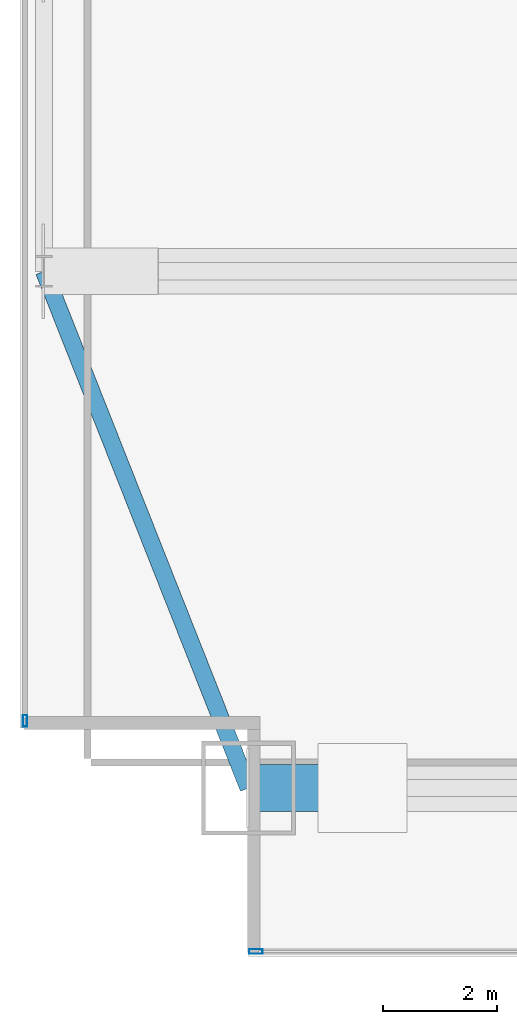
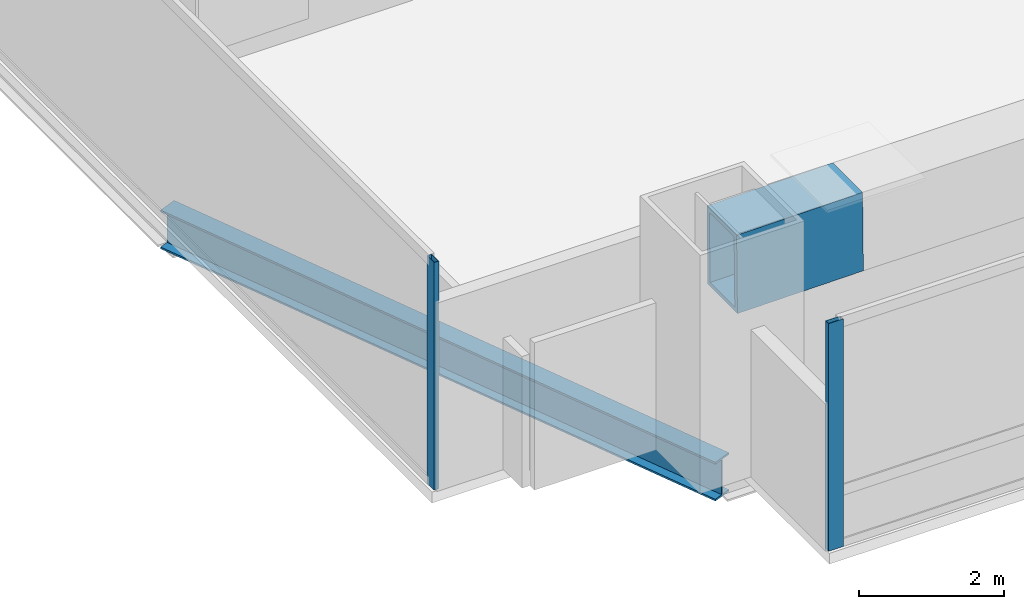
# One storey, part 5 of 32: 2 beams, 2 members, 2 elements without a shape of their own.
"""IFC4 building model written with IfcOpenShell, lengths in metres."""

from ifc_helpers import new_model, si_unit, direction, frame, origin, origin_2d, place, context, subcontext, project, spatial, hollow_rectangle, i_section, extrude, material, material_profile, profile_set, type_object, element, aggregate, save


model = new_model("IFC4")

# Units and contexts
model_context = context("Model", 3, precision=1e-05, world=origin(), true_north=direction((0.0, 1.0)))
body_context = subcontext(model_context, "Body", "Model", "MODEL_VIEW")
ifc_project = project(units=[si_unit("LENGTHUNIT", "METRE"), si_unit("AREAUNIT", "SQUARE_METRE"), si_unit("VOLUMEUNIT", "CUBIC_METRE"), si_unit("PLANEANGLEUNIT", "RADIAN"), si_unit("MASSUNIT", "GRAM", prefix="KILO")], contexts=[model_context])

# Site, building, storey
site_placement = place(None, origin())
site = spatial("IfcSite", under=ifc_project, at=site_placement, CompositionType="ELEMENT")
building_placement = place(site_placement, origin())
building = spatial("IfcBuilding", under=site, at=building_placement, Name="Khoronbel Lancet Exchange", CompositionType="ELEMENT")
storey_placement = place(building_placement, frame((0.0, 0.0, 77.800048828125)))
storey = spatial("IfcBuildingStorey", under=building, at=storey_placement, Name="L18", CompositionType="ELEMENT", Elevation=77.800048828125)

# Beams
ifc_material_1 = material(Name="Steel S355", Category="steel")
ifc_material_profile_1 = material_profile(ifc_material_1, i_section(OverallWidth=0.300048828125, OverallDepth=0.64990234375, WebThickness=0.01611328125, FlangeThickness=0.031005859375, at=origin_2d()), Name="HEB 650")
ifc_profile_set_1 = profile_set([ifc_material_profile_1], Name="Steel S355")
beam_type_1 = type_object("IfcBeamType", Name="BM-BSP1", PredefinedType="SPANDREL", material=ifc_profile_set_1)
beam_1_placement = place(storey_placement, frame((1.27001953125, 19.199951171875, -0.505126953125), z_axis=(0.367850095026, -0.92988510451, 0.0), x_axis=(0.92988510451, 0.367850095026, 0.0)))
element("IfcBeam", 1, at=beam_1_placement, inside=storey, type_object=beam_type_1, Name="Level L18 perimeter spandrel beam SP21", PredefinedType="SPANDREL", context=body_context, shape_type="SweptSolid", body=[
    extrude(i_section(OverallWidth=0.300048828125, OverallDepth=0.64990234375, WebThickness=0.01611328125, FlangeThickness=0.031005859375, at=origin_2d()), origin(), (0.0, 0.0, 1.0), 9.732421875),
])
ifc_material_2 = material(Name="Steel S460", Category="steel")
ifc_material_profile_2 = material_profile(ifc_material_2, hollow_rectangle(XDim=0.820068359375, YDim=1.320068359375, WallThickness=0.070068359375, at=origin_2d()), Name="BOX 820x1320x70")
ifc_profile_set_2 = profile_set([ifc_material_profile_2], Name="Steel S460")
beam_type_2 = type_object("IfcBeamType", Name="BM-TG4", PredefinedType="USERDEFINED", material=ifc_profile_set_2)
beam_2_placement = place(storey_placement, frame((4.85009765625, 10.14990234375, 3.139892578125), z_axis=(0.99994990606, 0.0, 0.010009264196), x_axis=(0.0, 1.0, 0.0)))
element("IfcBeam", 2, at=beam_2_placement, inside=storey, type_object=beam_type_2, Name="Setback transfer knee-brace girder L18-MC-SW", ObjectType="TRANSFER GIRDER", PredefinedType="USERDEFINED", context=body_context, shape_type="SweptSolid", body=[
    extrude(hollow_rectangle(XDim=0.820068359375, YDim=1.320068359375, WallThickness=0.070068359375, at=origin_2d()), origin(), (0.0, 0.0, 1.0), 2.0),
])

# Curtain wall, member
ifc_material_3 = material(Name="Low-E Solar Control Insulating Glass", Category="glass")
curtain_wall_type_1 = type_object("IfcCurtainWallType", Name="CW-1", PredefinedType="NOTDEFINED", material=ifc_material_3)
curtain_wall_1_placement = place(storey_placement, origin())
curtain_wall_1 = element("IfcCurtainWall", 3, at=curtain_wall_1_placement, inside=storey, type_object=curtain_wall_type_1, Name="Unitised curtain wall CW-L18-SWV", PredefinedType="NOTDEFINED")
ifc_material_4 = material(Name="Bronze-Anodised Aluminium 6063-T6", Category="aluminium")
ifc_material_profile_3 = material_profile(ifc_material_4, hollow_rectangle(XDim=0.0849609375, YDim=0.239990234375, WallThickness=0.006103515625, at=origin_2d()), Name="ALU MULLION 85x240")
ifc_profile_set_3 = profile_set([ifc_material_profile_3], Name="Bronze-Anodised Aluminium 6063-T6")
member_type_1 = type_object("IfcMemberType", Name="MEM-CWM1", PredefinedType="MULLION", material=ifc_profile_set_3)
member_1_placement = place(storey_placement, frame((4.982421875, 7.2900390625, 0.0), z_axis=(0.0, 0.0, 1.0), x_axis=(0.0, 1.0, 0.0)))
member_1 = element("IfcMember", 4, at=member_1_placement, type_object=member_type_1, Name="CW1 mullion 1", PredefinedType="MULLION", context=body_context, shape_type="SweptSolid", body=[
    extrude(hollow_rectangle(XDim=0.0849609375, YDim=0.239990234375, WallThickness=0.006103515625, at=origin_2d()), origin(), (0.0, 0.0, 1.0), 3.820068359375),
])
aggregate(curtain_wall_1, [member_1])

curtain_wall_type_2 = type_object("IfcCurtainWallType", Name="CW-4", PredefinedType="NOTDEFINED", material=ifc_material_3)
curtain_wall_2_placement = place(storey_placement, origin())
curtain_wall_2 = element("IfcCurtainWall", 5, at=curtain_wall_2_placement, inside=storey, type_object=curtain_wall_type_2, Name="Unitised curtain wall CW-L18-E03", PredefinedType="NOTDEFINED")
ifc_material_profile_4 = material_profile(ifc_material_4, hollow_rectangle(XDim=0.074951171875, YDim=0.199951171875, WallThickness=0.0048828125, at=origin_2d()), Name="ALU MULLION 75x200")
ifc_profile_set_4 = profile_set([ifc_material_profile_4], Name="Bronze-Anodised Aluminium 6063-T6")
member_type_2 = type_object("IfcMemberType", Name="MEM-CWM2", PredefinedType="MULLION", material=ifc_profile_set_4)
member_2_placement = place(storey_placement, frame((0.93994140625, 11.327392578125, 0.0), z_axis=(0.0, 0.0, 1.0), x_axis=(-1.0, 0.0, 0.0)))
member_2 = element("IfcMember", 6, at=member_2_placement, type_object=member_type_2, Name="CW4 mullion 1", PredefinedType="MULLION", context=body_context, shape_type="SweptSolid", body=[
    extrude(hollow_rectangle(XDim=0.074951171875, YDim=0.199951171875, WallThickness=0.0048828125, at=origin_2d()), origin(), (0.0, 0.0, 1.0), 3.820068359375),
])
aggregate(curtain_wall_2, [member_2])

save(model, "model.ifc")
